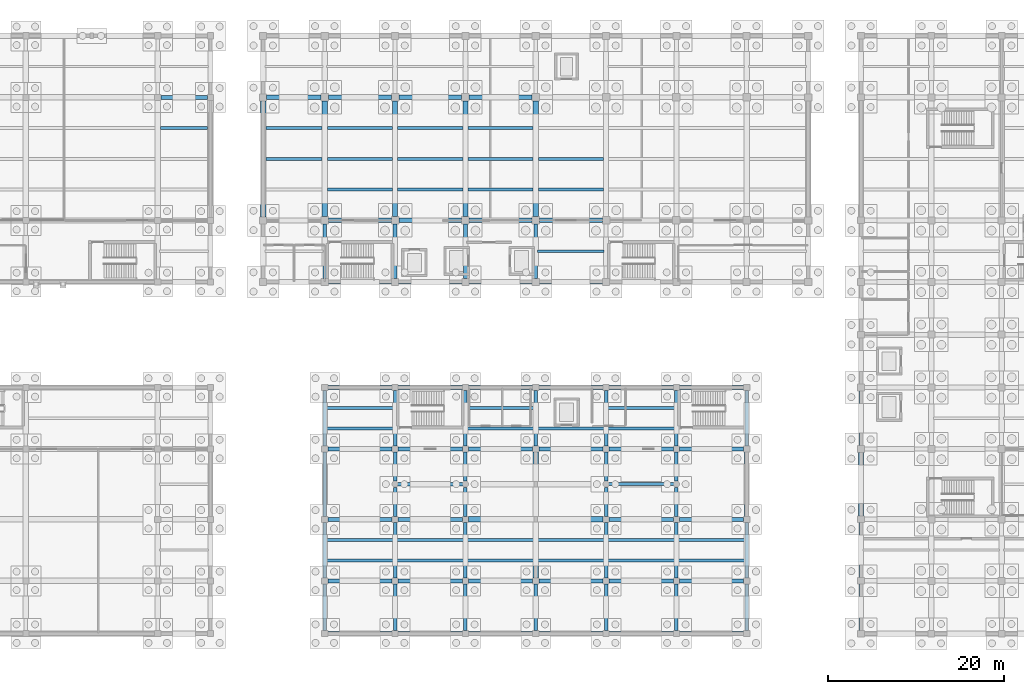
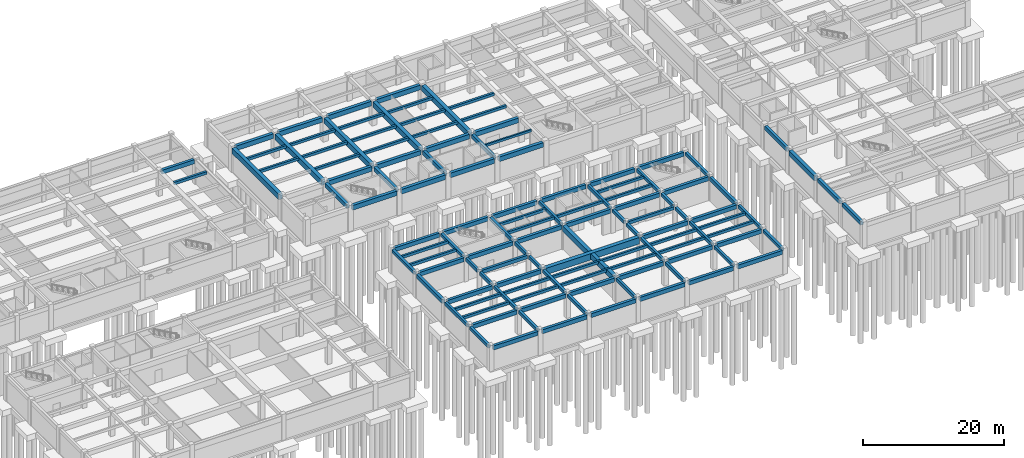
# One storey, part 11 of 28: 120 beams.
"""IFC4 building model written with IfcOpenShell, lengths in metres."""

from ifc_helpers import new_model, si_unit, direction, frame, origin, origin_2d, place, context, subcontext, project, spatial, rectangle, extrude, material, material_profile, profile_set, type_object, element, save


model = new_model("IFC4")

# Units and contexts
model_context = context("Model", 3, precision=1e-05, world=origin(), true_north=direction((0.0, 1.0)))
body_context = subcontext(model_context, "Body", "Model", "MODEL_VIEW")
ifc_project = project(units=[si_unit("LENGTHUNIT", "METRE"), si_unit("AREAUNIT", "SQUARE_METRE"), si_unit("VOLUMEUNIT", "CUBIC_METRE"), si_unit("PLANEANGLEUNIT", "RADIAN"), si_unit("MASSUNIT", "GRAM", prefix="KILO")], contexts=[model_context])

# Site, building, storey
site_placement = place(None, origin())
site = spatial("IfcSite", under=ifc_project, at=site_placement, CompositionType="ELEMENT")
building_placement = place(site_placement, origin())
building = spatial("IfcBuilding", under=site, at=building_placement, Name="Naurynzar Civic Courthouse", CompositionType="ELEMENT")
storey_placement = place(building_placement, frame((0.0, 0.0, -4.5)))
storey = spatial("IfcBuildingStorey", under=building, at=storey_placement, Name="B01", CompositionType="ELEMENT", Elevation=-4.5)

# Beams
ifc_material_1 = material(Name="Concrete C40/50", Category="concrete")
ifc_material_profile_1 = material_profile(ifc_material_1, rectangle(XDim=0.25, YDim=0.39990234375, at=origin_2d()), Name="RCB 250x400")
ifc_profile_set_1 = profile_set([ifc_material_profile_1], Name="Concrete C40/50")
beam_type_1 = type_object("IfcBeamType", Name="BM-JST-250x400", PredefinedType="JOIST", material=ifc_profile_set_1)
beam_1_placement = place(storey_placement, frame((93.22509765625, 47.5, 4.0), z_axis=(1.0, 0.0, 0.0), x_axis=(0.0, 1.0, 0.0)))
element("IfcBeam", 1, at=beam_1_placement, inside=storey, type_object=beam_type_1, Name="V2 secondary rib 339 B01", PredefinedType="JOIST", context=body_context, shape_type="SweptSolid", body=[
    extrude(rectangle(XDim=0.25, YDim=0.39990234375, at=origin_2d()), origin(), (0.0, 0.0, 1.0), 7.5498046875),
])
ifc_material_2 = material(Name="Concrete C40/50", Category="concrete")
ifc_material_profile_2 = material_profile(ifc_material_2, rectangle(XDim=0.324951171875, YDim=0.47509765625, at=origin_2d()), Name="RCB 325x475")
ifc_profile_set_2 = profile_set([ifc_material_profile_2], Name="Concrete C40/50")
beam_type_2 = type_object("IfcBeamType", Name="BM-JST-325x475", PredefinedType="JOIST", material=ifc_profile_set_2)
for number, where, z_axis, x_axis, name in (
    (2, (69.199951171875, 12.333251953125, 3.922607421875), (1.0, 0.0, 0.0), (0.0, 1.0, 0.0), "V3 secondary rib 1246 B01"),
    (3, (69.199951171875, 14.666748046875, 3.922607421875), (1.0, 0.0, 0.0), (0.0, 1.0, 0.0), "V3 secondary rib 1247 B01"),
    (4, (77.199951171875, 12.333251953125, 3.922607421875), (1.0, 0.0, 0.0), (0.0, 1.0, 0.0), "V3 secondary rib 1248 B01"),
    (5, (77.199951171875, 14.666748046875, 3.922607421875), (1.0, 0.0, 0.0), (0.0, 1.0, 0.0), "V3 secondary rib 1249 B01"),
):
    element("IfcBeam", number, at=place(storey_placement, frame(where, z_axis=z_axis, x_axis=x_axis)), inside=storey, type_object=beam_type_2, Name=name, PredefinedType="JOIST", context=body_context, shape_type="SweptSolid", body=[
        extrude(rectangle(XDim=0.324951171875, YDim=0.47509765625, at=origin_2d()), origin(), (0.0, 0.0, 1.0), 7.60009765625),
    ])
for number, where, z_axis, x_axis, name in (
    (6, (85.199951171875, 12.333251953125, 3.922607421875), (1.0, 0.0, 0.0), (0.0, 1.0, 0.0), "V3 secondary rib 1250 B01"),
    (7, (85.199951171875, 14.666748046875, 3.922607421875), (1.0, 0.0, 0.0), (0.0, 1.0, 0.0), "V3 secondary rib 1251 B01"),
):
    element("IfcBeam", number, at=place(storey_placement, frame(where, z_axis=z_axis, x_axis=x_axis)), inside=storey, type_object=beam_type_2, Name=name, PredefinedType="JOIST", context=body_context, shape_type="SweptSolid", body=[
        extrude(rectangle(XDim=0.324951171875, YDim=0.47509765625, at=origin_2d()), origin(), (0.0, 0.0, 1.0), 15.60009765625),
    ])
for number, where, z_axis, x_axis, name in (
    (8, (101.199951171875, 12.333251953125, 3.922607421875), (1.0, 0.0, 0.0), (0.0, 1.0, 0.0), "V3 secondary rib 1252 B01"),
    (9, (101.199951171875, 14.666748046875, 3.922607421875), (1.0, 0.0, 0.0), (0.0, 1.0, 0.0), "V3 secondary rib 1253 B01"),
    (10, (109.199951171875, 12.333251953125, 3.922607421875), (1.0, 0.0, 0.0), (0.0, 1.0, 0.0), "V3 secondary rib 1254 B01"),
    (11, (109.199951171875, 14.666748046875, 3.922607421875), (1.0, 0.0, 0.0), (0.0, 1.0, 0.0), "V3 secondary rib 1255 B01"),
    (12, (69.199951171875, 27.333251953125, 3.922607421875), (1.0, 0.0, 0.0), (0.0, 1.0, 0.0), "V3 secondary rib 1256 B01"),
    (13, (69.199951171875, 29.666748046875, 3.922607421875), (1.0, 0.0, 0.0), (0.0, 1.0, 0.0), "V3 secondary rib 1257 B01"),
    (14, (85.199951171875, 27.333251953125, 3.922607421875), (1.0, 0.0, 0.0), (0.0, 1.0, 0.0), "V3 secondary rib 1258 B01"),
    (15, (85.199951171875, 29.666748046875, 3.922607421875), (1.0, 0.0, 0.0), (0.0, 1.0, 0.0), "V3 secondary rib 1259 B01"),
    (16, (93.199951171875, 27.333251953125, 3.922607421875), (1.0, 0.0, 0.0), (0.0, 1.0, 0.0), "V3 secondary rib 1260 B01"),
    (17, (101.199951171875, 27.333251953125, 3.922607421875), (1.0, 0.0, 0.0), (0.0, 1.0, 0.0), "V3 secondary rib 1261 B01"),
    (18, (101.199951171875, 29.666748046875, 3.922607421875), (1.0, 0.0, 0.0), (0.0, 1.0, 0.0), "V3 secondary rib 1262 B01"),
):
    element("IfcBeam", number, at=place(storey_placement, frame(where, z_axis=z_axis, x_axis=x_axis)), inside=storey, type_object=beam_type_2, Name=name, PredefinedType="JOIST", context=body_context, shape_type="SweptSolid", body=[
        extrude(rectangle(XDim=0.324951171875, YDim=0.47509765625, at=origin_2d()), origin(), (0.0, 0.0, 1.0), 7.60009765625),
    ])
ifc_material_3 = material(Name="Concrete C40/50", Category="concrete")
ifc_material_profile_3 = material_profile(ifc_material_3, rectangle(XDim=0.35009765625, YDim=0.52490234375, at=origin_2d()), Name="RCB 350x525")
ifc_profile_set_3 = profile_set([ifc_material_profile_3], Name="Concrete C40/50")
beam_type_3 = type_object("IfcBeamType", Name="BM-LNT-350x525", PredefinedType="LINTEL", material=ifc_profile_set_3)
beam_2_placement = place(storey_placement, frame((101.25, 21.0, 3.8974609375), z_axis=(1.0, 0.0, 0.0), x_axis=(0.0, 1.0, 0.0)))
element("IfcBeam", 19, at=beam_2_placement, inside=storey, type_object=beam_type_3, Name="Law Library spine lintel beam 2", PredefinedType="LINTEL", context=body_context, shape_type="SweptSolid", body=[
    extrude(rectangle(XDim=0.35009765625, YDim=0.52490234375, at=origin_2d()), origin(), (0.0, 0.0, 1.0), 7.5),
])
ifc_material_4 = material(Name="Concrete C40/50", Category="concrete")
ifc_material_profile_4 = material_profile(ifc_material_4, rectangle(XDim=0.39990234375, YDim=0.60009765625, at=origin_2d()), Name="RCL 400x600")
ifc_profile_set_4 = profile_set([ifc_material_profile_4], Name="Concrete C40/50")
beam_type_4 = type_object("IfcBeamType", Name="BM-LNT-400x600", PredefinedType="LINTEL", material=ifc_profile_set_4)
beam_3_placement = place(storey_placement, frame((77.25, 21.0, 3.860107421875), z_axis=(1.0, 0.0, 0.0), x_axis=(0.0, 1.0, 0.0)))
element("IfcBeam", 20, at=beam_3_placement, inside=storey, type_object=beam_type_4, Name="Law Library spine lintel beam 1", PredefinedType="LINTEL", context=body_context, shape_type="SweptSolid", body=[
    extrude(rectangle(XDim=0.39990234375, YDim=0.60009765625, at=origin_2d()), origin(), (0.0, 0.0, 1.0), 7.5),
])
ifc_material_5 = material(Name="Concrete C40/50", Category="concrete")
ifc_material_profile_5 = material_profile(ifc_material_5, rectangle(XDim=0.60009765625, YDim=0.949951171875, at=origin_2d()), Name="PTB 600x950")
ifc_profile_set_5 = profile_set([ifc_material_profile_5], Name="Concrete C40/50")
beam_type_5 = type_object("IfcBeamType", Name="BM-PT-600x950", PredefinedType="T_BEAM", material=ifc_profile_set_5)
beam_4_placement = place(storey_placement, frame((62.0, 51.39990234375, 3.72509765625), z_axis=(0.0, 1.0, 0.0), x_axis=(-1.0, 0.0, 0.0)))
element("IfcBeam", 21, at=beam_4_placement, inside=storey, type_object=beam_type_5, Name="V2 girder Y-312 B01", PredefinedType="T_BEAM", context=body_context, shape_type="SweptSolid", body=[
    extrude(rectangle(XDim=0.60009765625, YDim=0.949951171875, at=origin_2d()), origin(), (0.0, 0.0, 1.0), 13.2001953125),
])
for number, where, z_axis, x_axis, name in (
    (22, (69.0, 51.425048828125, 3.72509765625), (0.0, 1.0, 0.0), (-1.0, 0.0, 0.0), "V2 girder Y-315 B01"),
    (23, (77.0, 51.425048828125, 3.72509765625), (0.0, 1.0, 0.0), (-1.0, 0.0, 0.0), "V2 girder Y-318 B01"),
    (24, (85.0, 51.425048828125, 3.72509765625), (0.0, 1.0, 0.0), (-1.0, 0.0, 0.0), "V2 girder Y-321 B01"),
    (25, (93.0, 51.425048828125, 3.72509765625), (0.0, 1.0, 0.0), (-1.0, 0.0, 0.0), "V2 girder Y-324 B01"),
):
    element("IfcBeam", number, at=place(storey_placement, frame(where, z_axis=z_axis, x_axis=x_axis)), inside=storey, type_object=beam_type_5, Name=name, PredefinedType="T_BEAM", context=body_context, shape_type="SweptSolid", body=[
        extrude(rectangle(XDim=0.60009765625, YDim=0.949951171875, at=origin_2d()), origin(), (0.0, 0.0, 1.0), 13.14990234375),
    ])
beam_5_placement = place(storey_placement, frame((93.0, 10.35009765625, 3.68505859375), z_axis=(0.0, 1.0, 0.0), x_axis=(-1.0, 0.0, 0.0)))
element("IfcBeam", 26, at=beam_5_placement, inside=storey, type_object=beam_type_5, Name="V3 girder Y-1230 B01", PredefinedType="T_BEAM", context=body_context, shape_type="SweptSolid", body=[
    extrude(rectangle(XDim=0.60009765625, YDim=0.949951171875, at=origin_2d()), origin(), (0.0, 0.0, 1.0), 14.2998046875),
])
ifc_material_6 = material(Name="Concrete C40/50", Category="concrete")
ifc_material_profile_6 = material_profile(ifc_material_6, rectangle(XDim=0.64990234375, YDim=1.10009765625, at=origin_2d()), Name="PTB 650x1100")
ifc_profile_set_6 = profile_set([ifc_material_profile_6], Name="Concrete C40/50")
beam_type_6 = type_object("IfcBeamType", Name="BM-PT-650x1100", PredefinedType="T_BEAM", material=ifc_profile_set_6)
beam_6_placement = place(storey_placement, frame((85.35009765625, 17.0, 3.610107421875), z_axis=(1.0, 0.0, 0.0), x_axis=(0.0, 1.0, 0.0)))
element("IfcBeam", 27, at=beam_6_placement, inside=storey, type_object=beam_type_6, Name="V3 beam X-1200 B01", PredefinedType="T_BEAM", context=body_context, shape_type="SweptSolid", body=[
    extrude(rectangle(XDim=0.64990234375, YDim=1.10009765625, at=origin_2d()), origin(), (0.0, 0.0, 1.0), 15.2998046875),
])
ifc_material_7 = material(Name="Concrete C40/50", Category="concrete")
ifc_material_profile_7 = material_profile(ifc_material_7, rectangle(XDim=0.35009765625, YDim=0.449951171875, at=origin_2d()), Name="RCB 350x450")
ifc_profile_set_7 = profile_set([ifc_material_profile_7], Name="Concrete C40/50")
beam_type_7 = type_object("IfcBeamType", Name="BM-RC-350x450", PredefinedType="BEAM", material=ifc_profile_set_7)
beam_7_placement = place(storey_placement, frame((50.324951171875, 61.5, 4.0048828125), z_axis=(1.0, 0.0, 0.0), x_axis=(0.0, 1.0, 0.0)))
element("IfcBeam", 28, at=beam_7_placement, inside=storey, type_object=beam_type_7, Name="V1 secondary rib 54 B01", PredefinedType="BEAM", context=body_context, shape_type="SweptSolid", body=[
    extrude(rectangle(XDim=0.35009765625, YDim=0.449951171875, at=origin_2d()), origin(), (0.0, 0.0, 1.0), 5.35009765625),
])
for number, where, z_axis, x_axis, name in (
    (29, (62.300048828125, 58.0, 3.97509765625), (1.0, 0.0, 0.0), (0.0, 1.0, 0.0), "V2 secondary rib 343 B01"),
    (30, (62.300048828125, 61.5, 3.97509765625), (1.0, 0.0, 0.0), (0.0, 1.0, 0.0), "V2 secondary rib 344 B01"),
):
    element("IfcBeam", number, at=place(storey_placement, frame(where, z_axis=z_axis, x_axis=x_axis)), inside=storey, type_object=beam_type_7, Name=name, PredefinedType="BEAM", context=body_context, shape_type="SweptSolid", body=[
        extrude(rectangle(XDim=0.35009765625, YDim=0.449951171875, at=origin_2d()), origin(), (0.0, 0.0, 1.0), 6.39990234375),
    ])
for number, where, z_axis, x_axis, name in (
    (31, (69.300048828125, 54.5, 3.97509765625), (1.0, 0.0, 0.0), (0.0, 1.0, 0.0), "V2 secondary rib 345 B01"),
    (32, (69.300048828125, 58.0, 3.97509765625), (1.0, 0.0, 0.0), (0.0, 1.0, 0.0), "V2 secondary rib 346 B01"),
    (33, (69.300048828125, 61.5, 3.97509765625), (1.0, 0.0, 0.0), (0.0, 1.0, 0.0), "V2 secondary rib 347 B01"),
    (34, (77.300048828125, 54.5, 3.97509765625), (1.0, 0.0, 0.0), (0.0, 1.0, 0.0), "V2 secondary rib 348 B01"),
    (35, (77.300048828125, 58.0, 3.97509765625), (1.0, 0.0, 0.0), (0.0, 1.0, 0.0), "V2 secondary rib 349 B01"),
    (36, (77.300048828125, 61.5, 3.97509765625), (1.0, 0.0, 0.0), (0.0, 1.0, 0.0), "V2 secondary rib 350 B01"),
    (37, (85.300048828125, 54.5, 3.97509765625), (1.0, 0.0, 0.0), (0.0, 1.0, 0.0), "V2 secondary rib 351 B01"),
    (38, (85.300048828125, 58.0, 3.97509765625), (1.0, 0.0, 0.0), (0.0, 1.0, 0.0), "V2 secondary rib 352 B01"),
    (39, (85.300048828125, 61.5, 3.97509765625), (1.0, 0.0, 0.0), (0.0, 1.0, 0.0), "V2 secondary rib 353 B01"),
    (40, (93.300048828125, 54.5, 3.97509765625), (1.0, 0.0, 0.0), (0.0, 1.0, 0.0), "V2 secondary rib 354 B01"),
    (41, (93.300048828125, 58.0, 3.97509765625), (1.0, 0.0, 0.0), (0.0, 1.0, 0.0), "V2 secondary rib 355 B01"),
):
    element("IfcBeam", number, at=place(storey_placement, frame(where, z_axis=z_axis, x_axis=x_axis)), inside=storey, type_object=beam_type_7, Name=name, PredefinedType="BEAM", context=body_context, shape_type="SweptSolid", body=[
        extrude(rectangle(XDim=0.35009765625, YDim=0.449951171875, at=origin_2d()), origin(), (0.0, 0.0, 1.0), 7.39990234375),
    ])
ifc_material_8 = material(Name="Concrete C40/50", Category="concrete")
ifc_material_profile_8 = material_profile(ifc_material_8, rectangle(XDim=0.39990234375, YDim=0.550048828125, at=origin_2d()), Name="RCB 400x550")
ifc_profile_set_8 = profile_set([ifc_material_profile_8], Name="Concrete C40/50")
beam_type_8 = type_object("IfcBeamType", Name="BM-RC-400x550", PredefinedType="BEAM", material=ifc_profile_set_8)
beam_8_placement = place(storey_placement, frame((69.0, 4.35009765625, 3.885009765625), z_axis=(0.0, 1.0, 0.0), x_axis=(-1.0, 0.0, 0.0)))
element("IfcBeam", 42, at=beam_8_placement, inside=storey, type_object=beam_type_8, Name="V3 girder Y-1215 B01", PredefinedType="BEAM", context=body_context, shape_type="SweptSolid", body=[
    extrude(rectangle(XDim=0.39990234375, YDim=0.550048828125, at=origin_2d()), origin(), (0.0, 0.0, 1.0), 5.2998046875),
])
for number, where, z_axis, x_axis, name in (
    (43, (69.0, 10.35009765625, 3.885009765625), (0.0, 1.0, 0.0), (-1.0, 0.0, 0.0), "V3 girder Y-1216 B01"),
    (44, (69.0, 25.35009765625, 3.885009765625), (0.0, 1.0, 0.0), (-1.0, 0.0, 0.0), "V3 girder Y-1218 B01"),
):
    element("IfcBeam", number, at=place(storey_placement, frame(where, z_axis=z_axis, x_axis=x_axis)), inside=storey, type_object=beam_type_8, Name=name, PredefinedType="BEAM", context=body_context, shape_type="SweptSolid", body=[
        extrude(rectangle(XDim=0.39990234375, YDim=0.550048828125, at=origin_2d()), origin(), (0.0, 0.0, 1.0), 6.2998046875),
    ])
beam_9_placement = place(storey_placement, frame((77.0, 4.35009765625, 3.885009765625), z_axis=(0.0, 1.0, 0.0), x_axis=(-1.0, 0.0, 0.0)))
element("IfcBeam", 45, at=beam_9_placement, inside=storey, type_object=beam_type_8, Name="V3 girder Y-1219 B01", PredefinedType="BEAM", context=body_context, shape_type="SweptSolid", body=[
    extrude(rectangle(XDim=0.39990234375, YDim=0.550048828125, at=origin_2d()), origin(), (0.0, 0.0, 1.0), 5.2998046875),
])
beam_10_placement = place(storey_placement, frame((77.0, 10.35009765625, 3.885009765625), z_axis=(0.0, 1.0, 0.0), x_axis=(-1.0, 0.0, 0.0)))
element("IfcBeam", 46, at=beam_10_placement, inside=storey, type_object=beam_type_8, Name="V3 girder Y-1220 B01", PredefinedType="BEAM", context=body_context, shape_type="SweptSolid", body=[
    extrude(rectangle(XDim=0.39990234375, YDim=0.550048828125, at=origin_2d()), origin(), (0.0, 0.0, 1.0), 6.2998046875),
])
for number, where, z_axis, x_axis, name in (
    (47, (77.0, 17.35009765625, 3.885009765625), (0.0, 1.0, 0.0), (-1.0, 0.0, 0.0), "V3 girder Y-1221 B01"),
    (48, (77.0, 21.35009765625, 3.885009765625), (0.0, 1.0, 0.0), (-1.0, 0.0, 0.0), "V3 girder Y-1222 B01"),
):
    element("IfcBeam", number, at=place(storey_placement, frame(where, z_axis=z_axis, x_axis=x_axis)), inside=storey, type_object=beam_type_8, Name=name, PredefinedType="BEAM", context=body_context, shape_type="SweptSolid", body=[
        extrude(rectangle(XDim=0.39990234375, YDim=0.550048828125, at=origin_2d()), origin(), (0.0, 0.0, 1.0), 3.2998046875),
    ])
beam_11_placement = place(storey_placement, frame((77.0, 25.35009765625, 3.885009765625), z_axis=(0.0, 1.0, 0.0), x_axis=(-1.0, 0.0, 0.0)))
element("IfcBeam", 49, at=beam_11_placement, inside=storey, type_object=beam_type_8, Name="V3 girder Y-1223 B01", PredefinedType="BEAM", context=body_context, shape_type="SweptSolid", body=[
    extrude(rectangle(XDim=0.39990234375, YDim=0.550048828125, at=origin_2d()), origin(), (0.0, 0.0, 1.0), 6.2998046875),
])
beam_12_placement = place(storey_placement, frame((85.0, 4.35009765625, 3.885009765625), z_axis=(0.0, 1.0, 0.0), x_axis=(-1.0, 0.0, 0.0)))
element("IfcBeam", 50, at=beam_12_placement, inside=storey, type_object=beam_type_8, Name="V3 girder Y-1224 B01", PredefinedType="BEAM", context=body_context, shape_type="SweptSolid", body=[
    extrude(rectangle(XDim=0.39990234375, YDim=0.550048828125, at=origin_2d()), origin(), (0.0, 0.0, 1.0), 5.2998046875),
])
beam_13_placement = place(storey_placement, frame((85.0, 10.35009765625, 3.885009765625), z_axis=(0.0, 1.0, 0.0), x_axis=(-1.0, 0.0, 0.0)))
element("IfcBeam", 51, at=beam_13_placement, inside=storey, type_object=beam_type_8, Name="V3 girder Y-1225 B01", PredefinedType="BEAM", context=body_context, shape_type="SweptSolid", body=[
    extrude(rectangle(XDim=0.39990234375, YDim=0.550048828125, at=origin_2d()), origin(), (0.0, 0.0, 1.0), 6.2998046875),
])
for number, where, z_axis, x_axis, name in (
    (52, (85.0, 17.35009765625, 3.885009765625), (0.0, 1.0, 0.0), (-1.0, 0.0, 0.0), "V3 girder Y-1226 B01"),
    (53, (85.0, 21.35009765625, 3.885009765625), (0.0, 1.0, 0.0), (-1.0, 0.0, 0.0), "V3 girder Y-1227 B01"),
):
    element("IfcBeam", number, at=place(storey_placement, frame(where, z_axis=z_axis, x_axis=x_axis)), inside=storey, type_object=beam_type_8, Name=name, PredefinedType="BEAM", context=body_context, shape_type="SweptSolid", body=[
        extrude(rectangle(XDim=0.39990234375, YDim=0.550048828125, at=origin_2d()), origin(), (0.0, 0.0, 1.0), 3.2998046875),
    ])
beam_14_placement = place(storey_placement, frame((85.0, 25.35009765625, 3.885009765625), z_axis=(0.0, 1.0, 0.0), x_axis=(-1.0, 0.0, 0.0)))
element("IfcBeam", 54, at=beam_14_placement, inside=storey, type_object=beam_type_8, Name="V3 girder Y-1228 B01", PredefinedType="BEAM", context=body_context, shape_type="SweptSolid", body=[
    extrude(rectangle(XDim=0.39990234375, YDim=0.550048828125, at=origin_2d()), origin(), (0.0, 0.0, 1.0), 6.2998046875),
])
beam_15_placement = place(storey_placement, frame((93.0, 4.35009765625, 3.885009765625), z_axis=(0.0, 1.0, 0.0), x_axis=(-1.0, 0.0, 0.0)))
element("IfcBeam", 55, at=beam_15_placement, inside=storey, type_object=beam_type_8, Name="V3 girder Y-1229 B01", PredefinedType="BEAM", context=body_context, shape_type="SweptSolid", body=[
    extrude(rectangle(XDim=0.39990234375, YDim=0.550048828125, at=origin_2d()), origin(), (0.0, 0.0, 1.0), 5.2998046875),
])
beam_16_placement = place(storey_placement, frame((93.0, 25.35009765625, 3.885009765625), z_axis=(0.0, 1.0, 0.0), x_axis=(-1.0, 0.0, 0.0)))
element("IfcBeam", 56, at=beam_16_placement, inside=storey, type_object=beam_type_8, Name="V3 girder Y-1231 B01", PredefinedType="BEAM", context=body_context, shape_type="SweptSolid", body=[
    extrude(rectangle(XDim=0.39990234375, YDim=0.550048828125, at=origin_2d()), origin(), (0.0, 0.0, 1.0), 6.2998046875),
])
beam_17_placement = place(storey_placement, frame((101.0, 4.35009765625, 3.885009765625), z_axis=(0.0, 1.0, 0.0), x_axis=(-1.0, 0.0, 0.0)))
element("IfcBeam", 57, at=beam_17_placement, inside=storey, type_object=beam_type_8, Name="V3 girder Y-1232 B01", PredefinedType="BEAM", context=body_context, shape_type="SweptSolid", body=[
    extrude(rectangle(XDim=0.39990234375, YDim=0.550048828125, at=origin_2d()), origin(), (0.0, 0.0, 1.0), 5.2998046875),
])
beam_18_placement = place(storey_placement, frame((101.0, 10.35009765625, 3.885009765625), z_axis=(0.0, 1.0, 0.0), x_axis=(-1.0, 0.0, 0.0)))
element("IfcBeam", 58, at=beam_18_placement, inside=storey, type_object=beam_type_8, Name="V3 girder Y-1233 B01", PredefinedType="BEAM", context=body_context, shape_type="SweptSolid", body=[
    extrude(rectangle(XDim=0.39990234375, YDim=0.550048828125, at=origin_2d()), origin(), (0.0, 0.0, 1.0), 6.2998046875),
])
for number, where, z_axis, x_axis, name in (
    (59, (101.0, 17.35009765625, 3.885009765625), (0.0, 1.0, 0.0), (-1.0, 0.0, 0.0), "V3 girder Y-1234 B01"),
    (60, (101.0, 21.35009765625, 3.885009765625), (0.0, 1.0, 0.0), (-1.0, 0.0, 0.0), "V3 girder Y-1235 B01"),
):
    element("IfcBeam", number, at=place(storey_placement, frame(where, z_axis=z_axis, x_axis=x_axis)), inside=storey, type_object=beam_type_8, Name=name, PredefinedType="BEAM", context=body_context, shape_type="SweptSolid", body=[
        extrude(rectangle(XDim=0.39990234375, YDim=0.550048828125, at=origin_2d()), origin(), (0.0, 0.0, 1.0), 3.2998046875),
    ])
beam_19_placement = place(storey_placement, frame((101.0, 25.35009765625, 3.885009765625), z_axis=(0.0, 1.0, 0.0), x_axis=(-1.0, 0.0, 0.0)))
element("IfcBeam", 61, at=beam_19_placement, inside=storey, type_object=beam_type_8, Name="V3 girder Y-1236 B01", PredefinedType="BEAM", context=body_context, shape_type="SweptSolid", body=[
    extrude(rectangle(XDim=0.39990234375, YDim=0.550048828125, at=origin_2d()), origin(), (0.0, 0.0, 1.0), 6.2998046875),
])
beam_20_placement = place(storey_placement, frame((109.0, 4.35009765625, 3.885009765625), z_axis=(0.0, 1.0, 0.0), x_axis=(-1.0, 0.0, 0.0)))
element("IfcBeam", 62, at=beam_20_placement, inside=storey, type_object=beam_type_8, Name="V3 girder Y-1237 B01", PredefinedType="BEAM", context=body_context, shape_type="SweptSolid", body=[
    extrude(rectangle(XDim=0.39990234375, YDim=0.550048828125, at=origin_2d()), origin(), (0.0, 0.0, 1.0), 5.2998046875),
])
beam_21_placement = place(storey_placement, frame((109.0, 10.35009765625, 3.885009765625), z_axis=(0.0, 1.0, 0.0), x_axis=(-1.0, 0.0, 0.0)))
element("IfcBeam", 63, at=beam_21_placement, inside=storey, type_object=beam_type_8, Name="V3 girder Y-1238 B01", PredefinedType="BEAM", context=body_context, shape_type="SweptSolid", body=[
    extrude(rectangle(XDim=0.39990234375, YDim=0.550048828125, at=origin_2d()), origin(), (0.0, 0.0, 1.0), 6.2998046875),
])
for number, where, z_axis, x_axis, name in (
    (64, (109.0, 17.35009765625, 3.885009765625), (0.0, 1.0, 0.0), (-1.0, 0.0, 0.0), "V3 girder Y-1239 B01"),
    (65, (109.0, 21.35009765625, 3.885009765625), (0.0, 1.0, 0.0), (-1.0, 0.0, 0.0), "V3 girder Y-1240 B01"),
):
    element("IfcBeam", number, at=place(storey_placement, frame(where, z_axis=z_axis, x_axis=x_axis)), inside=storey, type_object=beam_type_8, Name=name, PredefinedType="BEAM", context=body_context, shape_type="SweptSolid", body=[
        extrude(rectangle(XDim=0.39990234375, YDim=0.550048828125, at=origin_2d()), origin(), (0.0, 0.0, 1.0), 3.2998046875),
    ])
beam_22_placement = place(storey_placement, frame((109.0, 25.35009765625, 3.885009765625), z_axis=(0.0, 1.0, 0.0), x_axis=(-1.0, 0.0, 0.0)))
element("IfcBeam", 66, at=beam_22_placement, inside=storey, type_object=beam_type_8, Name="V3 girder Y-1241 B01", PredefinedType="BEAM", context=body_context, shape_type="SweptSolid", body=[
    extrude(rectangle(XDim=0.39990234375, YDim=0.550048828125, at=origin_2d()), origin(), (0.0, 0.0, 1.0), 6.2998046875),
])
beam_23_placement = place(storey_placement, frame((117.0, 4.35009765625, 3.885009765625), z_axis=(0.0, 1.0, 0.0), x_axis=(-1.0, 0.0, 0.0)))
element("IfcBeam", 67, at=beam_23_placement, inside=storey, type_object=beam_type_8, Name="V3 girder Y-1242 B01", PredefinedType="BEAM", context=body_context, shape_type="SweptSolid", body=[
    extrude(rectangle(XDim=0.39990234375, YDim=0.550048828125, at=origin_2d()), origin(), (0.0, 0.0, 1.0), 5.2998046875),
])
for number, where, z_axis, x_axis, name in (
    (68, (117.0, 10.35009765625, 3.885009765625), (0.0, 1.0, 0.0), (-1.0, 0.0, 0.0), "V3 girder Y-1243 B01"),
    (69, (117.0, 25.35009765625, 3.885009765625), (0.0, 1.0, 0.0), (-1.0, 0.0, 0.0), "V3 girder Y-1245 B01"),
):
    element("IfcBeam", number, at=place(storey_placement, frame(where, z_axis=z_axis, x_axis=x_axis)), inside=storey, type_object=beam_type_8, Name=name, PredefinedType="BEAM", context=body_context, shape_type="SweptSolid", body=[
        extrude(rectangle(XDim=0.39990234375, YDim=0.550048828125, at=origin_2d()), origin(), (0.0, 0.0, 1.0), 6.2998046875),
    ])
ifc_material_9 = material(Name="Concrete C40/50", Category="concrete")
ifc_material_profile_9 = material_profile(ifc_material_9, rectangle(XDim=0.449951171875, YDim=0.64990234375, at=origin_2d()), Name="RCB 450x650")
ifc_profile_set_9 = profile_set([ifc_material_profile_9], Name="Concrete C40/50")
beam_type_9 = type_object("IfcBeamType", Name="BM-RC-450x650", PredefinedType="BEAM", material=ifc_profile_set_9)
beam_24_placement = place(storey_placement, frame((130.0, 4.375, 3.875), z_axis=(0.0, 1.0, 0.0), x_axis=(-1.0, 0.0, 0.0)))
element("IfcBeam", 70, at=beam_24_placement, inside=storey, type_object=beam_type_9, Name="V5 girder Y-2045 B01", PredefinedType="BEAM", context=body_context, shape_type="SweptSolid", body=[
    extrude(rectangle(XDim=0.449951171875, YDim=0.64990234375, at=origin_2d()), origin(), (0.0, 0.0, 1.0), 5.25),
])
for number, where, z_axis, x_axis, name in (
    (71, (130.0, 10.375, 3.875), (0.0, 1.0, 0.0), (-1.0, 0.0, 0.0), "V5 girder Y-2046 B01"),
    (72, (130.0, 25.375, 3.875), (0.0, 1.0, 0.0), (-1.0, 0.0, 0.0), "V5 girder Y-2048 B01"),
):
    element("IfcBeam", number, at=place(storey_placement, frame(where, z_axis=z_axis, x_axis=x_axis)), inside=storey, type_object=beam_type_9, Name=name, PredefinedType="BEAM", context=body_context, shape_type="SweptSolid", body=[
        extrude(rectangle(XDim=0.449951171875, YDim=0.64990234375, at=origin_2d()), origin(), (0.0, 0.0, 1.0), 6.25),
    ])
ifc_material_10 = material(Name="Concrete C40/50", Category="concrete")
ifc_material_profile_10 = material_profile(ifc_material_10, rectangle(XDim=0.449951171875, YDim=0.699951171875, at=origin_2d()), Name="RCB 450x700")
ifc_profile_set_10 = profile_set([ifc_material_profile_10], Name="Concrete C40/50")
beam_type_10 = type_object("IfcBeamType", Name="BM-RC-450x700", PredefinedType="BEAM", material=ifc_profile_set_10)
beam_25_placement = place(storey_placement, frame((50.35009765625, 65.0, 3.8798828125), z_axis=(1.0, 0.0, 0.0), x_axis=(0.0, 1.0, 0.0)))
element("IfcBeam", 73, at=beam_25_placement, inside=storey, type_object=beam_type_10, Name="V1 beam X-15 B01", PredefinedType="BEAM", context=body_context, shape_type="SweptSolid", body=[
    extrude(rectangle(XDim=0.449951171875, YDim=0.699951171875, at=origin_2d()), origin(), (0.0, 0.0, 1.0), 5.2998046875),
])
for number, where, z_axis, x_axis, name in (
    (74, (69.0, 44.39990234375, 3.85009765625), (0.0, 1.0, 0.0), (-1.0, 0.0, 0.0), "V2 girder Y-314 B01"),
    (75, (77.0, 44.39990234375, 3.85009765625), (0.0, 1.0, 0.0), (-1.0, 0.0, 0.0), "V2 girder Y-317 B01"),
    (76, (85.0, 44.39990234375, 3.85009765625), (0.0, 1.0, 0.0), (-1.0, 0.0, 0.0), "V2 girder Y-320 B01"),
    (77, (93.0, 44.39990234375, 3.85009765625), (0.0, 1.0, 0.0), (-1.0, 0.0, 0.0), "V2 girder Y-323 B01"),
):
    element("IfcBeam", number, at=place(storey_placement, frame(where, z_axis=z_axis, x_axis=x_axis)), inside=storey, type_object=beam_type_10, Name=name, PredefinedType="BEAM", context=body_context, shape_type="SweptSolid", body=[
        extrude(rectangle(XDim=0.449951171875, YDim=0.699951171875, at=origin_2d()), origin(), (0.0, 0.0, 1.0), 6.175048828125),
    ])
for number, where, z_axis, x_axis, name in (
    (78, (69.35009765625, 4.0, 3.81005859375), (1.0, 0.0, 0.0), (0.0, 1.0, 0.0), "V3 beam X-1186 B01"),
    (79, (77.35009765625, 4.0, 3.81005859375), (1.0, 0.0, 0.0), (0.0, 1.0, 0.0), "V3 beam X-1187 B01"),
    (80, (85.35009765625, 4.0, 3.81005859375), (1.0, 0.0, 0.0), (0.0, 1.0, 0.0), "V3 beam X-1188 B01"),
    (81, (93.35009765625, 4.0, 3.81005859375), (1.0, 0.0, 0.0), (0.0, 1.0, 0.0), "V3 beam X-1189 B01"),
    (82, (101.35009765625, 4.0, 3.81005859375), (1.0, 0.0, 0.0), (0.0, 1.0, 0.0), "V3 beam X-1190 B01"),
    (83, (109.35009765625, 4.0, 3.81005859375), (1.0, 0.0, 0.0), (0.0, 1.0, 0.0), "V3 beam X-1191 B01"),
    (84, (69.35009765625, 10.0, 3.81005859375), (1.0, 0.0, 0.0), (0.0, 1.0, 0.0), "V3 beam X-1192 B01"),
    (85, (77.35009765625, 10.0, 3.81005859375), (1.0, 0.0, 0.0), (0.0, 1.0, 0.0), "V3 beam X-1193 B01"),
    (86, (85.35009765625, 10.0, 3.81005859375), (1.0, 0.0, 0.0), (0.0, 1.0, 0.0), "V3 beam X-1194 B01"),
    (87, (93.35009765625, 10.0, 3.81005859375), (1.0, 0.0, 0.0), (0.0, 1.0, 0.0), "V3 beam X-1195 B01"),
    (88, (101.35009765625, 10.0, 3.81005859375), (1.0, 0.0, 0.0), (0.0, 1.0, 0.0), "V3 beam X-1196 B01"),
    (89, (109.35009765625, 10.0, 3.81005859375), (1.0, 0.0, 0.0), (0.0, 1.0, 0.0), "V3 beam X-1197 B01"),
    (90, (69.35009765625, 17.0, 3.81005859375), (1.0, 0.0, 0.0), (0.0, 1.0, 0.0), "V3 beam X-1198 B01"),
    (91, (77.35009765625, 17.0, 3.81005859375), (1.0, 0.0, 0.0), (0.0, 1.0, 0.0), "V3 beam X-1199 B01"),
    (92, (101.35009765625, 17.0, 3.81005859375), (1.0, 0.0, 0.0), (0.0, 1.0, 0.0), "V3 beam X-1201 B01"),
    (93, (109.35009765625, 17.0, 3.81005859375), (1.0, 0.0, 0.0), (0.0, 1.0, 0.0), "V3 beam X-1202 B01"),
    (94, (69.35009765625, 25.0, 3.81005859375), (1.0, 0.0, 0.0), (0.0, 1.0, 0.0), "V3 beam X-1203 B01"),
    (95, (77.35009765625, 25.0, 3.81005859375), (1.0, 0.0, 0.0), (0.0, 1.0, 0.0), "V3 beam X-1204 B01"),
    (96, (85.35009765625, 25.0, 3.81005859375), (1.0, 0.0, 0.0), (0.0, 1.0, 0.0), "V3 beam X-1205 B01"),
    (97, (93.35009765625, 25.0, 3.81005859375), (1.0, 0.0, 0.0), (0.0, 1.0, 0.0), "V3 beam X-1206 B01"),
    (98, (101.35009765625, 25.0, 3.81005859375), (1.0, 0.0, 0.0), (0.0, 1.0, 0.0), "V3 beam X-1207 B01"),
    (99, (109.35009765625, 25.0, 3.81005859375), (1.0, 0.0, 0.0), (0.0, 1.0, 0.0), "V3 beam X-1208 B01"),
    (100, (69.35009765625, 32.0, 3.81005859375), (1.0, 0.0, 0.0), (0.0, 1.0, 0.0), "V3 beam X-1209 B01"),
    (101, (77.35009765625, 32.0, 3.81005859375), (1.0, 0.0, 0.0), (0.0, 1.0, 0.0), "V3 beam X-1210 B01"),
    (102, (85.35009765625, 32.0, 3.81005859375), (1.0, 0.0, 0.0), (0.0, 1.0, 0.0), "V3 beam X-1211 B01"),
    (103, (93.35009765625, 32.0, 3.81005859375), (1.0, 0.0, 0.0), (0.0, 1.0, 0.0), "V3 beam X-1212 B01"),
    (104, (101.35009765625, 32.0, 3.81005859375), (1.0, 0.0, 0.0), (0.0, 1.0, 0.0), "V3 beam X-1213 B01"),
    (105, (109.35009765625, 32.0, 3.81005859375), (1.0, 0.0, 0.0), (0.0, 1.0, 0.0), "V3 beam X-1214 B01"),
    (106, (69.0, 17.35009765625, 3.81005859375), (0.0, 1.0, 0.0), (-1.0, 0.0, 0.0), "V3 girder Y-1217 B01"),
    (107, (117.0, 17.35009765625, 3.81005859375), (0.0, 1.0, 0.0), (-1.0, 0.0, 0.0), "V3 girder Y-1244 B01"),
):
    element("IfcBeam", number, at=place(storey_placement, frame(where, z_axis=z_axis, x_axis=x_axis)), inside=storey, type_object=beam_type_10, Name=name, PredefinedType="BEAM", context=body_context, shape_type="SweptSolid", body=[
        extrude(rectangle(XDim=0.449951171875, YDim=0.699951171875, at=origin_2d()), origin(), (0.0, 0.0, 1.0), 7.2998046875),
    ])
ifc_material_11 = material(Name="Concrete C40/50", Category="concrete")
ifc_material_profile_11 = material_profile(ifc_material_11, rectangle(XDim=0.5, YDim=0.800048828125, at=origin_2d()), Name="RCB 500x800")
ifc_profile_set_11 = profile_set([ifc_material_profile_11], Name="Concrete C40/50")
beam_type_11 = type_object("IfcBeamType", Name="BM-RC-500x800", PredefinedType="BEAM", material=ifc_profile_set_11)
for number, where, z_axis, x_axis, name in (
    (108, (69.39990234375, 44.0, 3.800048828125), (1.0, 0.0, 0.0), (0.0, 1.0, 0.0), "V2 beam X-280 B01"),
    (109, (77.39990234375, 44.0, 3.800048828125), (1.0, 0.0, 0.0), (0.0, 1.0, 0.0), "V2 beam X-281 B01"),
    (110, (85.39990234375, 44.0, 3.800048828125), (1.0, 0.0, 0.0), (0.0, 1.0, 0.0), "V2 beam X-282 B01"),
    (111, (93.39990234375, 44.0, 3.800048828125), (1.0, 0.0, 0.0), (0.0, 1.0, 0.0), "V2 beam X-283 B01"),
):
    element("IfcBeam", number, at=place(storey_placement, frame(where, z_axis=z_axis, x_axis=x_axis)), inside=storey, type_object=beam_type_11, Name=name, PredefinedType="BEAM", context=body_context, shape_type="SweptSolid", body=[
        extrude(rectangle(XDim=0.5, YDim=0.800048828125, at=origin_2d()), origin(), (0.0, 0.0, 1.0), 7.2001953125),
    ])
for number, where, z_axis, x_axis, name in (
    (112, (69.425048828125, 51.0, 3.800048828125), (1.0, 0.0, 0.0), (0.0, 1.0, 0.0), "V2 beam X-288 B01"),
    (113, (77.425048828125, 51.0, 3.800048828125), (1.0, 0.0, 0.0), (0.0, 1.0, 0.0), "V2 beam X-289 B01"),
    (114, (85.425048828125, 51.0, 3.800048828125), (1.0, 0.0, 0.0), (0.0, 1.0, 0.0), "V2 beam X-290 B01"),
    (115, (93.425048828125, 51.0, 3.800048828125), (1.0, 0.0, 0.0), (0.0, 1.0, 0.0), "V2 beam X-291 B01"),
):
    element("IfcBeam", number, at=place(storey_placement, frame(where, z_axis=z_axis, x_axis=x_axis)), inside=storey, type_object=beam_type_11, Name=name, PredefinedType="BEAM", context=body_context, shape_type="SweptSolid", body=[
        extrude(rectangle(XDim=0.5, YDim=0.800048828125, at=origin_2d()), origin(), (0.0, 0.0, 1.0), 7.14990234375),
    ])
beam_26_placement = place(storey_placement, frame((62.39990234375, 65.0, 3.800048828125), z_axis=(1.0, 0.0, 0.0), x_axis=(0.0, 1.0, 0.0)))
element("IfcBeam", 116, at=beam_26_placement, inside=storey, type_object=beam_type_11, Name="V2 beam X-295 B01", PredefinedType="BEAM", context=body_context, shape_type="SweptSolid", body=[
    extrude(rectangle(XDim=0.5, YDim=0.800048828125, at=origin_2d()), origin(), (0.0, 0.0, 1.0), 6.175048828125),
])
for number, where, z_axis, x_axis, name in (
    (117, (69.425048828125, 65.0, 3.800048828125), (1.0, 0.0, 0.0), (0.0, 1.0, 0.0), "V2 beam X-296 B01"),
    (118, (77.425048828125, 65.0, 3.800048828125), (1.0, 0.0, 0.0), (0.0, 1.0, 0.0), "V2 beam X-297 B01"),
    (119, (85.425048828125, 65.0, 3.800048828125), (1.0, 0.0, 0.0), (0.0, 1.0, 0.0), "V2 beam X-298 B01"),
):
    element("IfcBeam", number, at=place(storey_placement, frame(where, z_axis=z_axis, x_axis=x_axis)), inside=storey, type_object=beam_type_11, Name=name, PredefinedType="BEAM", context=body_context, shape_type="SweptSolid", body=[
        extrude(rectangle(XDim=0.5, YDim=0.800048828125, at=origin_2d()), origin(), (0.0, 0.0, 1.0), 7.14990234375),
    ])
ifc_material_12 = material(Name="Concrete C40/50", Category="concrete")
ifc_material_profile_12 = material_profile(ifc_material_12, rectangle(XDim=0.550048828125, YDim=0.89990234375, at=origin_2d()), Name="RCB 550x900")
ifc_profile_set_12 = profile_set([ifc_material_profile_12], Name="Concrete C40/50")
beam_type_12 = type_object("IfcBeamType", Name="BM-RC-550x900", PredefinedType="T_BEAM", material=ifc_profile_set_12)
beam_27_placement = place(storey_placement, frame((130.0, 17.375, 3.75), z_axis=(0.0, 1.0, 0.0), x_axis=(-1.0, 0.0, 0.0)))
element("IfcBeam", 120, at=beam_27_placement, inside=storey, type_object=beam_type_12, Name="V5 girder Y-2047 B01", PredefinedType="T_BEAM", context=body_context, shape_type="SweptSolid", body=[
    extrude(rectangle(XDim=0.550048828125, YDim=0.89990234375, at=origin_2d()), origin(), (0.0, 0.0, 1.0), 7.25),
])

save(model, "model.ifc")
